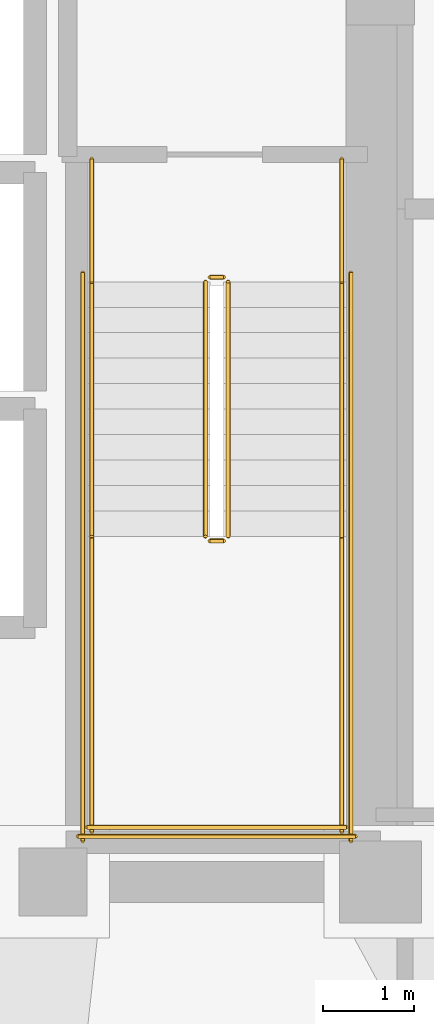
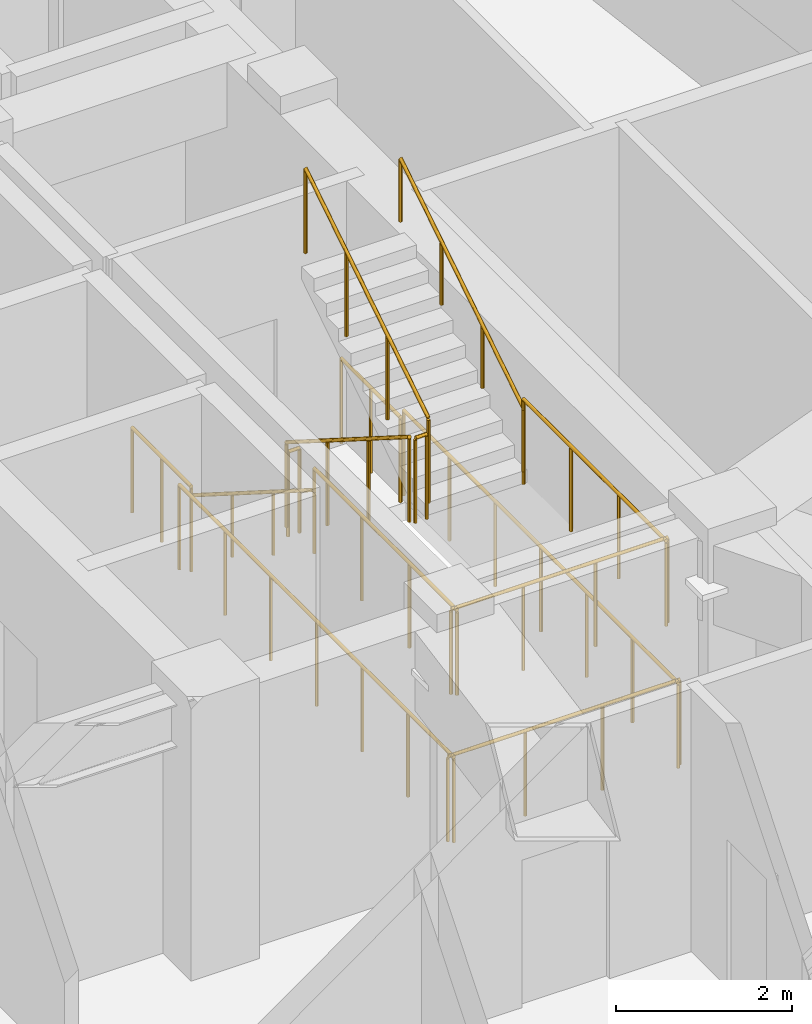
# One storey, part 14 of 14: 14 railings.
"""IFC4 building model written with IfcOpenShell, lengths in metres."""

from ifc_helpers import new_model, si_unit, direction, frame, origin, origin_2d, place, context, subcontext, project, spatial, circle, extrude, material, type_object, element, save


model = new_model("IFC4")

# Units and contexts
model_context = context("Model", 3, precision=1e-05, world=origin(), true_north=direction((0.0, 1.0)))
body_context = subcontext(model_context, "Body", "Model", "MODEL_VIEW")
ifc_project = project(units=[si_unit("LENGTHUNIT", "METRE"), si_unit("AREAUNIT", "SQUARE_METRE"), si_unit("VOLUMEUNIT", "CUBIC_METRE"), si_unit("PLANEANGLEUNIT", "RADIAN"), si_unit("MASSUNIT", "GRAM", prefix="KILO")], contexts=[model_context])

# Site, building, storey
site_placement = place(None, origin())
site = spatial("IfcSite", under=ifc_project, at=site_placement, CompositionType="ELEMENT")
building_placement = place(site_placement, origin())
building = spatial("IfcBuilding", under=site, at=building_placement, Name="Voryun Gate Residences", CompositionType="ELEMENT")
storey_placement = place(building_placement, frame((0.0, 0.0, 144.300048828125)))
storey = spatial("IfcBuildingStorey", under=building, at=storey_placement, Name="L35", CompositionType="ELEMENT", Elevation=144.300048828125)

# Railings
ifc_material_1 = material(Name="Painted steel", Category="steel")
railing_type_1 = type_object("IfcRailingType", Name="RAIL_STAIR_GUARD_1200", PredefinedType="GUARDRAIL", material=ifc_material_1)
railing_1_placement = place(storey_placement, frame((17.27490234375, -0.800048828125, 0.17724609375)))
element("IfcRailing", 1, at=railing_1_placement, inside=storey, type_object=railing_type_1, Name="L35 ST-E1 stair guard 1", PredefinedType="GUARDRAIL", context=body_context, shape_type="SweptSolid", body=[
    extrude(circle(Radius=0.02392578125, at=origin_2d()), frame((0.0, 0.0, 1.17578125), z_axis=(0.0, -0.844908973607, 0.534910110503), x_axis=(1.0, 0.0, 0.0)), (0.0, 0.0, 1.0), 3.31396484375),
    extrude(circle(Radius=0.02099609375, at=origin_2d()), origin(), (0.0, 0.0, 1.0), 1.15185546875),
    extrude(circle(Radius=0.02099609375, at=origin_2d()), frame((0.0, -0.933349609375, 0.5908203125)), (0.0, 0.0, 1.0), 1.15185546875),
    extrude(circle(Radius=0.02099609375, at=origin_2d()), frame((0.0, -1.86669921875, 1.181884765625)), (0.0, 0.0, 1.0), 1.15185546875),
    extrude(circle(Radius=0.02099609375, at=origin_2d()), frame((0.0, -2.800048828125, 1.772705078125)), (0.0, 0.0, 1.0), 1.15185546875),
])
railing_2_placement = place(storey_placement, frame((17.324951171875, -3.64990234375, 1.949951171875)))
element("IfcRailing", 2, at=railing_2_placement, inside=storey, type_object=railing_type_1, Name="L35 ST-E1 stair guard 2", PredefinedType="GUARDRAIL", context=body_context, shape_type="SweptSolid", body=[
    extrude(circle(Radius=0.02392578125, at=origin_2d()), frame((0.0, 0.0, 1.17578125), z_axis=(1.0, 0.0, 0.0), x_axis=(0.0, 1.0, 0.0)), (0.0, 0.0, 1.0), 0.150146484375),
    extrude(circle(Radius=0.02099609375, at=origin_2d()), origin(), (0.0, 0.0, 1.0), 1.15185546875),
    extrude(circle(Radius=0.02099609375, at=origin_2d()), frame((0.150146484375, 0.0, 0.0)), (0.0, 0.0, 1.0), 1.15185546875),
])
for number, where, name in (
    (3, (16.02490234375, -3.60009765625, 1.949951171875), "L35 ST-E1 stair guard 3"),
    (4, (18.77490234375, -3.60009765625, 1.949951171875), "L35 ST-E1 stair guard 4"),
):
    element("IfcRailing", number, at=place(storey_placement, frame(where)), inside=storey, type_object=railing_type_1, Name=name, PredefinedType="GUARDRAIL", context=body_context, shape_type="SweptSolid", body=[
        extrude(circle(Radius=0.02392578125, at=origin_2d()), frame((0.0, 0.0, 1.17578125), z_axis=(0.0, -1.0, 0.0), x_axis=(1.0, 0.0, 0.0)), (0.0, 0.0, 1.0), 3.25),
        extrude(circle(Radius=0.02099609375, at=origin_2d()), origin(), (0.0, 0.0, 1.0), 1.15185546875),
        extrude(circle(Radius=0.02099609375, at=origin_2d()), frame((0.0, -1.083251953125, 0.0)), (0.0, 0.0, 1.0), 1.15185546875),
        extrude(circle(Radius=0.02099609375, at=origin_2d()), frame((0.0, -2.166748046875, 0.0)), (0.0, 0.0, 1.0), 1.15185546875),
        extrude(circle(Radius=0.02099609375, at=origin_2d()), frame((0.0, -3.25, 0.0)), (0.0, 0.0, 1.0), 1.15185546875),
    ])
railing_3_placement = place(storey_placement, frame((15.97509765625, -6.800048828125, 1.949951171875)))
element("IfcRailing", 5, at=railing_3_placement, inside=storey, type_object=railing_type_1, Name="L35 ST-E1 stair guard 5", PredefinedType="GUARDRAIL", context=body_context, shape_type="SweptSolid", body=[
    extrude(circle(Radius=0.02392578125, at=origin_2d()), frame((0.0, 0.0, 1.17578125), z_axis=(1.0, 0.0, 0.0), x_axis=(0.0, 1.0, 0.0)), (0.0, 0.0, 1.0), 2.849853515625),
    extrude(circle(Radius=0.02099609375, at=origin_2d()), origin(), (0.0, 0.0, 1.0), 1.15185546875),
    extrude(circle(Radius=0.02099609375, at=origin_2d()), frame((0.949951171875, 0.0, 0.0)), (0.0, 0.0, 1.0), 1.15185546875),
    extrude(circle(Radius=0.02099609375, at=origin_2d()), frame((1.89990234375, 0.0, 0.0)), (0.0, 0.0, 1.0), 1.15185546875),
    extrude(circle(Radius=0.02099609375, at=origin_2d()), frame((2.849853515625, 0.0, 0.0)), (0.0, 0.0, 1.0), 1.15185546875),
])
railing_4_placement = place(storey_placement, frame((17.52490234375, -3.60009765625, 2.127197265625)))
element("IfcRailing", 6, at=railing_4_placement, inside=storey, type_object=railing_type_1, Name="L35 ST-E1 stair guard 6", PredefinedType="GUARDRAIL", context=body_context, shape_type="SweptSolid", body=[
    extrude(circle(Radius=0.02392578125, at=origin_2d()), frame((0.0, 0.0, 1.17578125), z_axis=(0.0, 0.844908973607, 0.534910110503), x_axis=(-1.0, 0.0, 0.0)), (0.0, 0.0, 1.0), 3.31396484375),
    extrude(circle(Radius=0.02099609375, at=origin_2d()), origin(), (0.0, 0.0, 1.0), 1.15185546875),
    extrude(circle(Radius=0.02099609375, at=origin_2d()), frame((0.0, 0.933349609375, 0.5908203125)), (0.0, 0.0, 1.0), 1.15185546875),
    extrude(circle(Radius=0.02099609375, at=origin_2d()), frame((0.0, 1.86669921875, 1.181884765625)), (0.0, 0.0, 1.0), 1.15185546875),
    extrude(circle(Radius=0.02099609375, at=origin_2d()), frame((0.0, 2.800048828125, 1.772705078125)), (0.0, 0.0, 1.0), 1.15185546875),
])
railing_5_placement = place(storey_placement, frame((17.324951171875, -0.75, 0.0)))
element("IfcRailing", 7, at=railing_5_placement, inside=storey, type_object=railing_type_1, Name="L35 ST-E1 stair guard 7", PredefinedType="GUARDRAIL", context=body_context, shape_type="SweptSolid", body=[
    extrude(circle(Radius=0.02392578125, at=origin_2d()), frame((0.0, 0.0, 1.17578125), z_axis=(1.0, 0.0, 0.0), x_axis=(0.0, 1.0, 0.0)), (0.0, 0.0, 1.0), 0.150146484375),
    extrude(circle(Radius=0.02099609375, at=origin_2d()), origin(), (0.0, 0.0, 1.0), 1.15185546875),
    extrude(circle(Radius=0.02099609375, at=origin_2d()), frame((0.150146484375, 0.0, 0.0)), (0.0, 0.0, 1.0), 1.15185546875),
])
for number, where, name in (
    (8, (16.02490234375, 0.550048828125, 0.0), "L35 ST-E1 stair guard 8"),
    (9, (18.77490234375, 0.550048828125, 0.0), "L35 ST-E1 stair guard 9"),
):
    element("IfcRailing", number, at=place(storey_placement, frame(where)), inside=storey, type_object=railing_type_1, Name=name, PredefinedType="GUARDRAIL", context=body_context, shape_type="SweptSolid", body=[
        extrude(circle(Radius=0.02392578125, at=origin_2d()), frame((0.0, 0.0, 1.17578125), z_axis=(0.0, -1.0, 0.0), x_axis=(1.0, 0.0, 0.0)), (0.0, 0.0, 1.0), 1.35009765625),
        extrude(circle(Radius=0.02099609375, at=origin_2d()), origin(), (0.0, 0.0, 1.0), 1.15185546875),
        extrude(circle(Radius=0.02099609375, at=origin_2d()), frame((0.0, -0.675048828125, 0.0)), (0.0, 0.0, 1.0), 1.15185546875),
        extrude(circle(Radius=0.02099609375, at=origin_2d()), frame((0.0, -1.35009765625, 0.0)), (0.0, 0.0, 1.0), 1.15185546875),
    ])
for number, where, name in (
    (10, (15.925048828125, -0.699951171875, 0.0), "L35 ST-E1 stair guard 10"),
    (11, (18.875, -0.699951171875, 0.0), "L35 ST-E1 stair guard 11"),
):
    element("IfcRailing", number, at=place(storey_placement, frame(where)), inside=storey, type_object=railing_type_1, Name=name, PredefinedType="GUARDRAIL", context=body_context, shape_type="SweptSolid", body=[
        extrude(circle(Radius=0.02392578125, at=origin_2d()), frame((0.0, 0.0, 1.17578125), z_axis=(0.0, -1.0, 0.0), x_axis=(1.0, 0.0, 0.0)), (0.0, 0.0, 1.0), 6.25),
        extrude(circle(Radius=0.02099609375, at=origin_2d()), origin(), (0.0, 0.0, 1.0), 1.15185546875),
        extrude(circle(Radius=0.02099609375, at=origin_2d()), frame((0.0, -1.041748046875, 0.0)), (0.0, 0.0, 1.0), 1.15185546875),
        extrude(circle(Radius=0.02099609375, at=origin_2d()), frame((0.0, -2.083251953125, 0.0)), (0.0, 0.0, 1.0), 1.15185546875),
        extrude(circle(Radius=0.02099609375, at=origin_2d()), frame((0.0, -3.125, 0.0)), (0.0, 0.0, 1.0), 1.15185546875),
        extrude(circle(Radius=0.02099609375, at=origin_2d()), frame((0.0, -4.166748046875, 0.0)), (0.0, 0.0, 1.0), 1.15185546875),
        extrude(circle(Radius=0.02099609375, at=origin_2d()), frame((0.0, -5.208251953125, 0.0)), (0.0, 0.0, 1.0), 1.15185546875),
        extrude(circle(Radius=0.02099609375, at=origin_2d()), frame((0.0, -6.25, 0.0)), (0.0, 0.0, 1.0), 1.15185546875),
    ])
railing_6_placement = place(storey_placement, frame((15.875, -6.89990234375, 0.0)))
element("IfcRailing", 12, at=railing_6_placement, inside=storey, type_object=railing_type_1, Name="L35 ST-E1 stair guard 12", PredefinedType="GUARDRAIL", context=body_context, shape_type="SweptSolid", body=[
    extrude(circle(Radius=0.02392578125, at=origin_2d()), frame((0.0, 0.0, 1.17578125), z_axis=(1.0, 0.0, 0.0), x_axis=(0.0, 1.0, 0.0)), (0.0, 0.0, 1.0), 3.050048828125),
    extrude(circle(Radius=0.02099609375, at=origin_2d()), origin(), (0.0, 0.0, 1.0), 1.15185546875),
    extrude(circle(Radius=0.02099609375, at=origin_2d()), frame((1.0166015625, 0.0, 0.0)), (0.0, 0.0, 1.0), 1.15185546875),
    extrude(circle(Radius=0.02099609375, at=origin_2d()), frame((2.033447265625, 0.0, 0.0)), (0.0, 0.0, 1.0), 1.15185546875),
    extrude(circle(Radius=0.02099609375, at=origin_2d()), frame((3.050048828125, 0.0, 0.0)), (0.0, 0.0, 1.0), 1.15185546875),
])
ifc_material_2 = material(Name="Painted steel", Category="steel")
railing_type_2 = type_object("IfcRailingType", Name="RAIL_STAIR_HANDRAIL_900", PredefinedType="HANDRAIL", material=ifc_material_2)
railing_7_placement = place(storey_placement, frame((16.02490234375, -0.800048828125, 0.17724609375)))
element("IfcRailing", 13, at=railing_7_placement, inside=storey, type_object=railing_type_2, Name="L35 ST-E1 stair handrail 1", PredefinedType="HANDRAIL", context=body_context, shape_type="SweptSolid", body=[
    extrude(circle(Radius=0.02392578125, at=origin_2d()), frame((0.0, 0.0, 0.8759765625), z_axis=(0.0, -0.844908973607, 0.534910110503), x_axis=(1.0, 0.0, 0.0)), (0.0, 0.0, 1.0), 3.31396484375),
    extrude(circle(Radius=0.02099609375, at=origin_2d()), origin(), (0.0, 0.0, 1.0), 0.851806640625),
    extrude(circle(Radius=0.02099609375, at=origin_2d()), frame((0.0, -0.933349609375, 0.5908203125)), (0.0, 0.0, 1.0), 0.851806640625),
    extrude(circle(Radius=0.02099609375, at=origin_2d()), frame((0.0, -1.86669921875, 1.181884765625)), (0.0, 0.0, 1.0), 0.851806640625),
    extrude(circle(Radius=0.02099609375, at=origin_2d()), frame((0.0, -2.800048828125, 1.772705078125)), (0.0, 0.0, 1.0), 0.851806640625),
])
railing_8_placement = place(storey_placement, frame((18.77490234375, -3.60009765625, 2.127197265625)))
element("IfcRailing", 14, at=railing_8_placement, inside=storey, type_object=railing_type_2, Name="L35 ST-E1 stair handrail 2", PredefinedType="HANDRAIL", context=body_context, shape_type="SweptSolid", body=[
    extrude(circle(Radius=0.02392578125, at=origin_2d()), frame((0.0, 0.0, 0.8759765625), z_axis=(0.0, 0.844908973607, 0.534910110503), x_axis=(-1.0, 0.0, 0.0)), (0.0, 0.0, 1.0), 3.31396484375),
    extrude(circle(Radius=0.02099609375, at=origin_2d()), origin(), (0.0, 0.0, 1.0), 0.851806640625),
    extrude(circle(Radius=0.02099609375, at=origin_2d()), frame((0.0, 0.933349609375, 0.5908203125)), (0.0, 0.0, 1.0), 0.851806640625),
    extrude(circle(Radius=0.02099609375, at=origin_2d()), frame((0.0, 1.86669921875, 1.181884765625)), (0.0, 0.0, 1.0), 0.851806640625),
    extrude(circle(Radius=0.02099609375, at=origin_2d()), frame((0.0, 2.800048828125, 1.772705078125)), (0.0, 0.0, 1.0), 0.851806640625),
])

save(model, "model.ifc")
